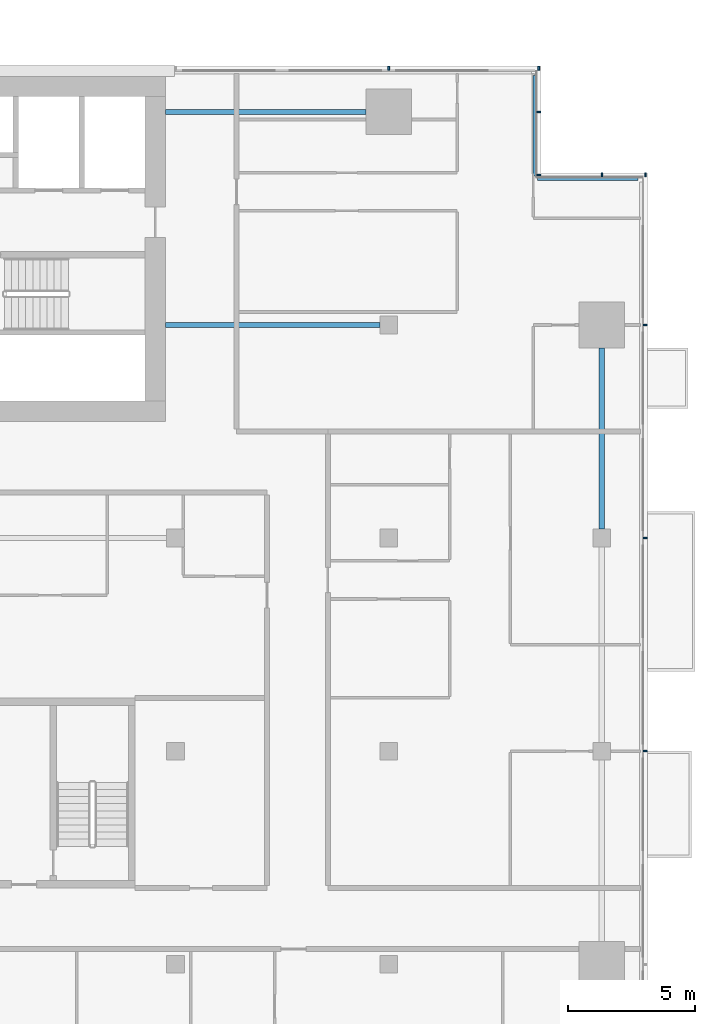
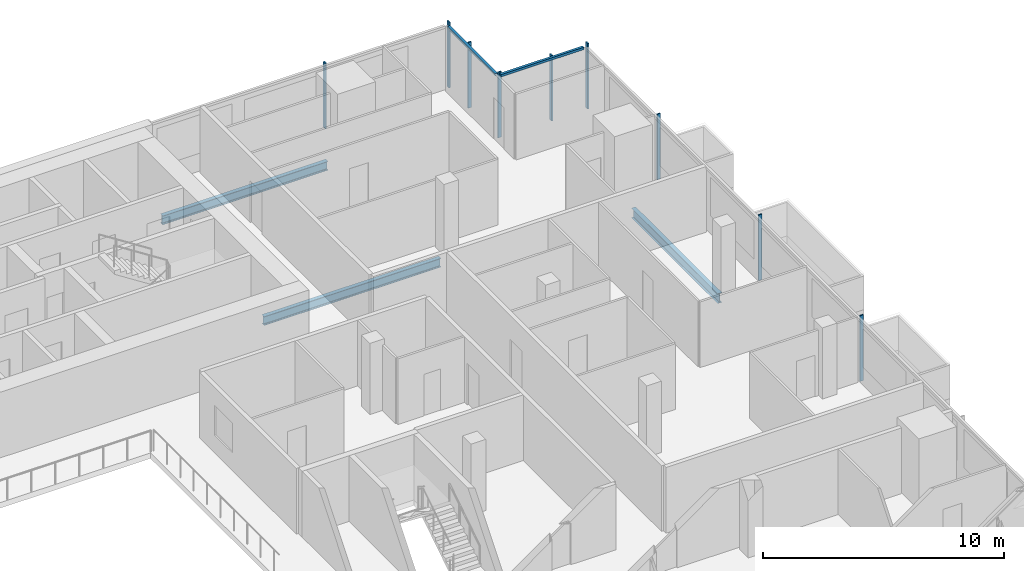
# One storey, part 13 of 30: 11 members, 3 beams, 4 elements without a shape of their own.
"""IFC4 building model written with IfcOpenShell, lengths in metres."""

from ifc_helpers import new_model, si_unit, direction, frame, origin, origin_2d, place, context, subcontext, project, spatial, rectangle, i_section, extrude, material, material_profile, profile_set, type_object, element, aggregate, save


model = new_model("IFC4")

# Units and contexts
model_context = context("Model", 3, precision=1e-05, world=origin(), true_north=direction((0.0, 1.0)))
body_context = subcontext(model_context, "Body", "Model", "MODEL_VIEW")
ifc_project = project(units=[si_unit("LENGTHUNIT", "METRE"), si_unit("AREAUNIT", "SQUARE_METRE"), si_unit("VOLUMEUNIT", "CUBIC_METRE"), si_unit("PLANEANGLEUNIT", "RADIAN"), si_unit("MASSUNIT", "GRAM", prefix="KILO")], contexts=[model_context])

# Site, building, storey
site_placement = place(None, origin())
site = spatial("IfcSite", under=ifc_project, at=site_placement, CompositionType="ELEMENT")
building_placement = place(site_placement, origin())
building = spatial("IfcBuilding", under=site, at=building_placement, Name="Saffron Gate Tower", CompositionType="ELEMENT")
storey_placement = place(building_placement, frame((0.0, 0.0, 158.25)))
storey = spatial("IfcBuildingStorey", under=building, at=storey_placement, Name="L38", CompositionType="ELEMENT", Elevation=158.25)

# Beams
ifc_material_1 = material(Name="Structural steel S355", Category="steel")
ifc_material_profile_1 = material_profile(ifc_material_1, i_section(OverallWidth=0.199951171875, OverallDepth=0.5, WebThickness=0.01025390625, FlangeThickness=0.01611328125, FilletRadius=0.02099609375, at=origin_2d()))
ifc_profile_set_1 = profile_set([ifc_material_profile_1], Name="Structural steel S355")
beam_type_1 = type_object("IfcBeamType", Name="B11 IPE 500", PredefinedType="SPANDREL", material=ifc_profile_set_1)
beam_1_placement = place(storey_placement, frame((125.39990234375, 57.35009765625, -0.530029296875), z_axis=(0.0, 1.0, 0.0), x_axis=(-1.0, 0.0, 0.0)))
element("IfcBeam", 1, at=beam_1_placement, inside=storey, type_object=beam_type_1, Name="B11 SPANDREL BEAM", PredefinedType="SPANDREL", context=body_context, shape_type="SweptSolid", body=[
    extrude(i_section(OverallWidth=0.199951171875, OverallDepth=0.5, WebThickness=0.01025390625, FlangeThickness=0.01611328125, FilletRadius=0.02099609375, at=origin_2d()), origin(), (0.0, 0.0, 1.0), 7.14990234375),
])
ifc_material_profile_2 = material_profile(ifc_material_1, i_section(OverallWidth=0.18994140625, OverallDepth=0.449951171875, WebThickness=0.009521484375, FlangeThickness=0.0146484375, FilletRadius=0.02099609375, at=origin_2d()))
ifc_profile_set_2 = profile_set([ifc_material_profile_2], Name="Structural steel S355")
beam_type_2 = type_object("IfcBeamType", Name="B6 IPE 450", PredefinedType="BEAM", material=ifc_profile_set_2)
beam_2_placement = place(storey_placement, frame((116.64990234375, 65.39990234375, -0.5048828125), z_axis=(-1.0, 0.0, 0.0), x_axis=(0.0, -1.0, 0.0)))
element("IfcBeam", 2, at=beam_2_placement, inside=storey, type_object=beam_type_2, Name="B6 CORE TIE BEAM", PredefinedType="BEAM", context=body_context, shape_type="SweptSolid", body=[
    extrude(i_section(OverallWidth=0.18994140625, OverallDepth=0.449951171875, WebThickness=0.009521484375, FlangeThickness=0.0146484375, FilletRadius=0.02099609375, at=origin_2d()), origin(), (0.0, 0.0, 1.0), 8.449951171875),
])
beam_3_placement = place(storey_placement, frame((116.10009765625, 73.800048828125, -0.5048828125), z_axis=(-1.0, 0.0, 0.0), x_axis=(0.0, -1.0, 0.0)))
element("IfcBeam", 3, at=beam_3_placement, inside=storey, type_object=beam_type_2, Name="B6 CORE TIE BEAM", PredefinedType="BEAM", context=body_context, shape_type="SweptSolid", body=[
    extrude(i_section(OverallWidth=0.18994140625, OverallDepth=0.449951171875, WebThickness=0.009521484375, FlangeThickness=0.0146484375, FilletRadius=0.02099609375, at=origin_2d()), origin(), (0.0, 0.0, 1.0), 7.900146484375),
])

# Curtain wall, members
ifc_material_2 = material(Name="Aluminium, bronze anodised", Category="aluminium")
curtain_wall_type_1 = type_object("IfcCurtainWallType", Name="CWS2 curtain wall side facades", PredefinedType="NOTDEFINED", material=ifc_material_2)
curtain_wall_1_placement = place(storey_placement, origin())
curtain_wall_1 = element("IfcCurtainWall", 4, at=curtain_wall_1_placement, inside=storey, type_object=curtain_wall_type_1, Name="CWS2 run 4", PredefinedType="NOTDEFINED")
ifc_material_profile_3 = material_profile(ifc_material_2, rectangle(XDim=0.159912109375, YDim=0.06005859375, at=origin_2d()))
ifc_profile_set_3 = profile_set([ifc_material_profile_3], Name="Aluminium, bronze anodised")
member_type_1 = type_object("IfcMemberType", Name="CWS2 mullion 60x160", PredefinedType="MULLION", material=ifc_profile_set_3)
member_1_placement = place(storey_placement, frame((127.1201171875, 48.60009765625, 0.0), z_axis=(0.0, 0.0, 1.0), x_axis=(-1.0, 0.0, 0.0)))
member_1 = element("IfcMember", 5, at=member_1_placement, type_object=member_type_1, Name="CWS2 mullion 3", PredefinedType="MULLION", context=body_context, shape_type="SweptSolid", body=[
    extrude(rectangle(XDim=0.159912109375, YDim=0.06005859375, at=origin_2d()), origin(), (0.0, 0.0, 1.0), 3.320068359375),
])
member_2_placement = place(storey_placement, frame((127.1201171875, 57.0, 0.0), z_axis=(0.0, 0.0, 1.0), x_axis=(-1.0, 0.0, 0.0)))
member_2 = element("IfcMember", 6, at=member_2_placement, type_object=member_type_1, Name="CWS2 mullion 4", PredefinedType="MULLION", context=body_context, shape_type="SweptSolid", body=[
    extrude(rectangle(XDim=0.159912109375, YDim=0.06005859375, at=origin_2d()), origin(), (0.0, 0.0, 1.0), 3.320068359375),
])
member_3_placement = place(storey_placement, frame((127.1201171875, 65.39990234375, 0.0), z_axis=(0.0, 0.0, 1.0), x_axis=(-1.0, 0.0, 0.0)))
member_3 = element("IfcMember", 7, at=member_3_placement, type_object=member_type_1, Name="CWS2 mullion 5", PredefinedType="MULLION", context=body_context, shape_type="SweptSolid", body=[
    extrude(rectangle(XDim=0.159912109375, YDim=0.06005859375, at=origin_2d()), origin(), (0.0, 0.0, 1.0), 3.320068359375),
])
aggregate(curtain_wall_1, [member_1, member_2, member_3])

curtain_wall_type_2 = type_object("IfcCurtainWallType", Name="CWS3 curtain wall rear facade", PredefinedType="NOTDEFINED", material=ifc_material_2)
curtain_wall_2_placement = place(storey_placement, origin())
curtain_wall_2 = element("IfcCurtainWall", 8, at=curtain_wall_2_placement, inside=storey, type_object=curtain_wall_type_2, Name="CWS3 run 7", PredefinedType="NOTDEFINED")
ifc_material_profile_4 = material_profile(ifc_material_2, rectangle(XDim=0.159912109375, YDim=0.070068359375, at=origin_2d()))
ifc_profile_set_4 = profile_set([ifc_material_profile_4], Name="Aluminium, bronze anodised")
member_type_2 = type_object("IfcMemberType", Name="CWS3 mullion 70x160", PredefinedType="MULLION", material=ifc_profile_set_4)
member_4_placement = place(storey_placement, frame((122.919921875, 75.52001953125, 0.0), z_axis=(0.0, 0.0, 1.0), x_axis=(0.0, -1.0, 0.0)))
member_4 = element("IfcMember", 9, at=member_4_placement, type_object=member_type_2, Name="CWS3 mullion 1", PredefinedType="MULLION", context=body_context, shape_type="SweptSolid", body=[
    extrude(rectangle(XDim=0.159912109375, YDim=0.070068359375, at=origin_2d()), origin(), (0.0, 0.0, 1.0), 3.320068359375),
])
member_5_placement = place(storey_placement, frame((117.0, 75.52001953125, 0.0), z_axis=(0.0, 0.0, 1.0), x_axis=(0.0, -1.0, 0.0)))
member_5 = element("IfcMember", 10, at=member_5_placement, type_object=member_type_2, Name="CWS3 mullion 2", PredefinedType="MULLION", context=body_context, shape_type="SweptSolid", body=[
    extrude(rectangle(XDim=0.159912109375, YDim=0.070068359375, at=origin_2d()), origin(), (0.0, 0.0, 1.0), 3.320068359375),
])
aggregate(curtain_wall_2, [member_4, member_5])

# Curtain wall, member
curtain_wall_type_3 = type_object("IfcCurtainWallType", Name="CWS4 curtain wall corner returns", PredefinedType="NOTDEFINED", material=ifc_material_2)
curtain_wall_3_placement = place(storey_placement, origin())
curtain_wall_3 = element("IfcCurtainWall", 11, at=curtain_wall_3_placement, inside=storey, type_object=curtain_wall_type_3, Name="CWS4 run 5", PredefinedType="NOTDEFINED")
ifc_material_profile_5 = material_profile(ifc_material_2, rectangle(XDim=0.1201171875, YDim=0.1201171875, at=origin_2d()))
ifc_profile_set_5 = profile_set([ifc_material_profile_5], Name="Aluminium, bronze anodised")
member_type_3 = type_object("IfcMemberType", Name="CWS4 head transom", PredefinedType="USERDEFINED", material=ifc_profile_set_5)
member_6_placement = place(storey_placement, frame((126.83203125, 71.152099609375, 3.260009765625), z_axis=(-1.0, 0.0, 0.0), x_axis=(0.0, -1.0, 0.0)))
member_6 = element("IfcMember", 12, at=member_6_placement, type_object=member_type_3, Name="CWS4 head transom", ObjectType="TRANSOM", PredefinedType="USERDEFINED", context=body_context, shape_type="SweptSolid", body=[
    extrude(rectangle(XDim=0.1201171875, YDim=0.1201171875, at=origin_2d()), origin(), (0.0, 0.0, 1.0), 3.9599609375),
])

curtain_wall_4_placement = place(storey_placement, origin())
curtain_wall_4 = element("IfcCurtainWall", 13, at=curtain_wall_4_placement, inside=storey, type_object=curtain_wall_type_3, Name="CWS4 run 6", PredefinedType="NOTDEFINED")
member_7_placement = place(storey_placement, frame((122.751953125, 71.27197265625, 3.260009765625), z_axis=(0.0, 1.0, 0.0), x_axis=(-1.0, 0.0, 0.0)))
member_7 = element("IfcMember", 14, at=member_7_placement, type_object=member_type_3, Name="CWS4 head transom", ObjectType="TRANSOM", PredefinedType="USERDEFINED", context=body_context, shape_type="SweptSolid", body=[
    extrude(rectangle(XDim=0.1201171875, YDim=0.1201171875, at=origin_2d()), origin(), (0.0, 0.0, 1.0), 3.9599609375),
])

# Member
ifc_material_profile_6 = material_profile(ifc_material_2, rectangle(XDim=0.159912109375, YDim=0.06005859375, at=origin_2d()))
ifc_profile_set_6 = profile_set([ifc_material_profile_6], Name="Aluminium, bronze anodised")
member_type_4 = type_object("IfcMemberType", Name="CWS4 mullion 60x160", PredefinedType="MULLION", material=ifc_profile_set_6)
member_8_placement = place(storey_placement, frame((127.1201171875, 71.320068359375, 0.0), z_axis=(0.0, 0.0, 1.0), x_axis=(0.0, -1.0, 0.0)))
member_8 = element("IfcMember", 15, at=member_8_placement, type_object=member_type_4, Name="CWS4 mullion 1", PredefinedType="MULLION", context=body_context, shape_type="SweptSolid", body=[
    extrude(rectangle(XDim=0.159912109375, YDim=0.06005859375, at=origin_2d()), origin(), (0.0, 0.0, 1.0), 3.320068359375),
])

member_9_placement = place(storey_placement, frame((125.39990234375, 71.320068359375, 0.0), z_axis=(0.0, 0.0, 1.0), x_axis=(0.0, -1.0, 0.0)))
member_9 = element("IfcMember", 16, at=member_9_placement, type_object=member_type_4, Name="CWS4 mullion 2", PredefinedType="MULLION", context=body_context, shape_type="SweptSolid", body=[
    extrude(rectangle(XDim=0.159912109375, YDim=0.06005859375, at=origin_2d()), origin(), (0.0, 0.0, 1.0), 3.320068359375),
])

aggregate(curtain_wall_3, [member_8, member_9, member_6])

member_10_placement = place(storey_placement, frame((122.919921875, 71.320068359375, 0.0), z_axis=(0.0, 0.0, 1.0), x_axis=(-1.0, 0.0, 0.0)))
member_10 = element("IfcMember", 17, at=member_10_placement, type_object=member_type_4, Name="CWS4 mullion 1", PredefinedType="MULLION", context=body_context, shape_type="SweptSolid", body=[
    extrude(rectangle(XDim=0.159912109375, YDim=0.06005859375, at=origin_2d()), origin(), (0.0, 0.0, 1.0), 3.320068359375),
])

member_11_placement = place(storey_placement, frame((122.919921875, 73.800048828125, 0.0), z_axis=(0.0, 0.0, 1.0), x_axis=(-1.0, 0.0, 0.0)))
member_11 = element("IfcMember", 18, at=member_11_placement, type_object=member_type_4, Name="CWS4 mullion 2", PredefinedType="MULLION", context=body_context, shape_type="SweptSolid", body=[
    extrude(rectangle(XDim=0.159912109375, YDim=0.06005859375, at=origin_2d()), origin(), (0.0, 0.0, 1.0), 3.320068359375),
])

aggregate(curtain_wall_4, [member_10, member_11, member_7])

save(model, "model.ifc")
